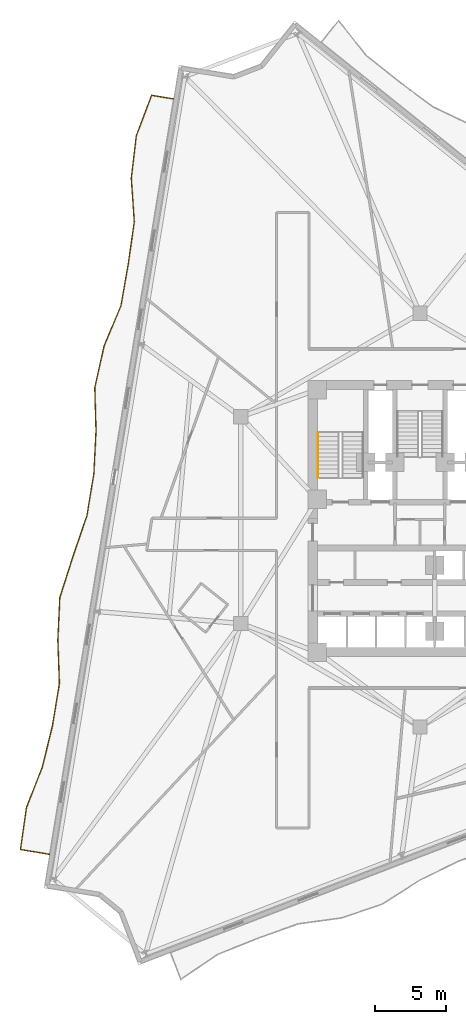
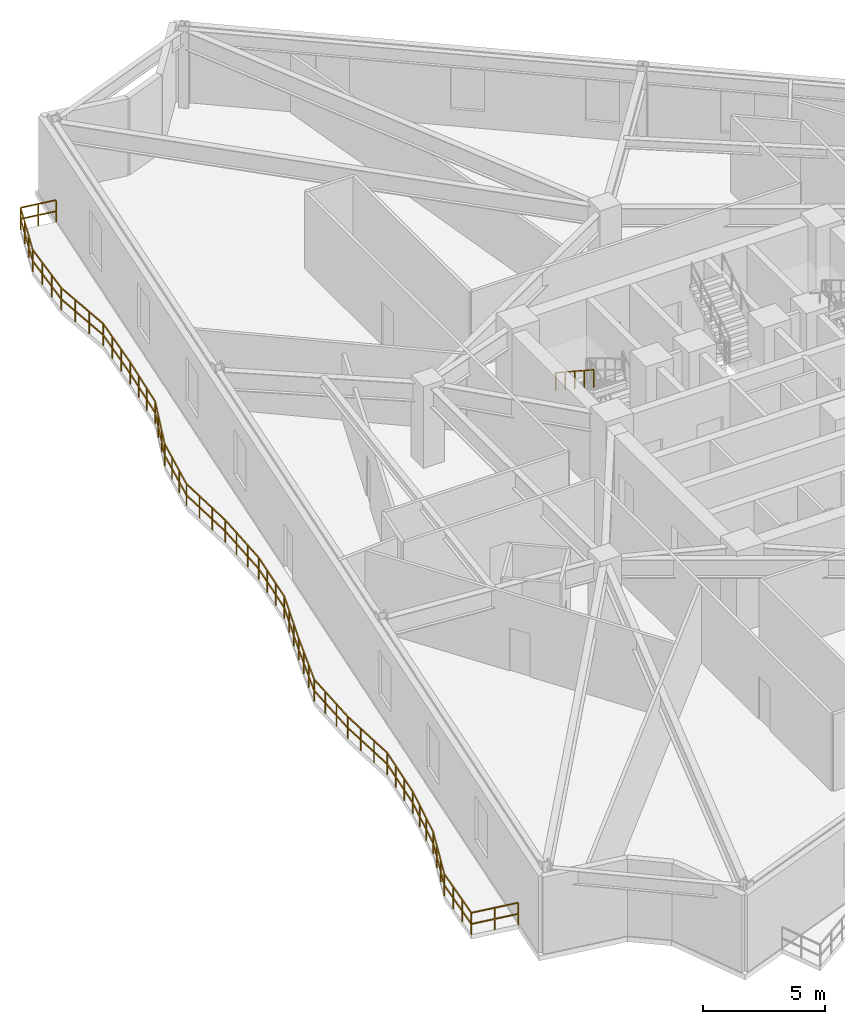
# One storey, part 9 of 11: 2 railings.
"""IFC4 building model written with IfcOpenShell, lengths in metres."""

from ifc_helpers import new_model, si_unit, direction, frame, origin, origin_2d, place, context, subcontext, project, spatial, rectangle, extrude, material, type_object, element, save


model = new_model("IFC4")

# Units and contexts
model_context = context("Model", 3, precision=1e-05, world=origin(), true_north=direction((0.0, 1.0)))
body_context = subcontext(model_context, "Body", "Model", "MODEL_VIEW")
ifc_project = project(units=[si_unit("LENGTHUNIT", "METRE"), si_unit("AREAUNIT", "SQUARE_METRE"), si_unit("VOLUMEUNIT", "CUBIC_METRE"), si_unit("PLANEANGLEUNIT", "RADIAN"), si_unit("MASSUNIT", "GRAM", prefix="KILO")], contexts=[model_context])

# Site, building, storey
site_placement = place(None, origin())
site = spatial("IfcSite", under=ifc_project, at=site_placement, CompositionType="ELEMENT")
building_placement = place(site_placement, origin())
building = spatial("IfcBuilding", under=site, at=building_placement, Name="Apsidion Concourse Tower", CompositionType="ELEMENT")
storey_placement = place(building_placement, frame((0.0, 0.0, 140.39990234375)))
storey = spatial("IfcBuildingStorey", under=building, at=storey_placement, Name="L32", CompositionType="ELEMENT", Elevation=140.39990234375)

# Railings
ifc_material = material(Name="Brushed stainless steel 316", Category="steel")
railing_type_1 = type_object("IfcRailingType", Name="RL-BAL-1120", PredefinedType="BALUSTRADE", material=ifc_material)
railing_1_placement = place(storey_placement, frame((-25.99072265625, -23.43701171875, 0.0)))
element("IfcRailing", 1, at=railing_1_placement, inside=storey, type_object=railing_type_1, Name="L32 Face 1 Rippling Balcony Balustrade", PredefinedType="BALUSTRADE", context=body_context, shape_type="SweptSolid", body=[
    extrude(rectangle(XDim=0.048095703125, YDim=0.048095703125, at=origin_2d()), frame((0.0, 0.0, 1.09619140625), z_axis=(-0.986791069568, 0.161998101904, 0.0), x_axis=(-0.161998101904, -0.986791069568, 0.0)), (0.0, 0.0, 1.0), 2.061767578125),
    extrude(rectangle(XDim=0.048095703125, YDim=0.048095703125, at=origin_2d()), frame((0.0, 0.0, 0.5361328125), z_axis=(-0.986791069568, 0.161998101904, 0.0), x_axis=(-0.161998101904, -0.986791069568, 0.0)), (0.0, 0.0, 1.0), 2.061767578125),
    extrude(rectangle(XDim=0.048095703125, YDim=0.048095703125, at=origin_2d()), frame((-2.034423828125, 0.333984375, 1.09619140625), z_axis=(0.143196768675, 0.989694238359, 0.0), x_axis=(-0.989694238359, 0.143196768675, 0.0)), (0.0, 0.0, 1.0), 2.983642578125),
    extrude(rectangle(XDim=0.048095703125, YDim=0.048095703125, at=origin_2d()), frame((-2.034423828125, 0.333984375, 0.5361328125), z_axis=(0.143196768675, 0.989694238359, 0.0), x_axis=(-0.989694238359, 0.143196768675, 0.0)), (0.0, 0.0, 1.0), 2.983642578125),
    extrude(rectangle(XDim=0.048095703125, YDim=0.048095703125, at=origin_2d()), frame((-1.607177734375, 3.286865234375, 1.09619140625), z_axis=(0.364743365523, 0.931108091097, 0.0), x_axis=(-0.931108091097, 0.364743365523, 0.0)), (0.0, 0.0, 1.0), 3.05029296875),
    extrude(rectangle(XDim=0.048095703125, YDim=0.048095703125, at=origin_2d()), frame((-1.607177734375, 3.286865234375, 0.5361328125), z_axis=(0.364743365523, 0.931108091097, 0.0), x_axis=(-0.931108091097, 0.364743365523, 0.0)), (0.0, 0.0, 1.0), 3.05029296875),
    extrude(rectangle(XDim=0.048095703125, YDim=0.048095703125, at=origin_2d()), frame((-0.49462890625, 6.126953125, 1.09619140625), z_axis=(0.237540356142, 0.971377670736, 0.0), x_axis=(-0.971377670736, 0.237540356142, 0.0)), (0.0, 0.0, 1.0), 2.991943359375),
    extrude(rectangle(XDim=0.048095703125, YDim=0.048095703125, at=origin_2d()), frame((-0.49462890625, 6.126953125, 0.5361328125), z_axis=(0.237540356142, 0.971377670736, 0.0), x_axis=(-0.971377670736, 0.237540356142, 0.0)), (0.0, 0.0, 1.0), 2.991943359375),
    extrude(rectangle(XDim=0.048095703125, YDim=0.048095703125, at=origin_2d()), frame((0.216064453125, 9.033203125, 1.09619140625), z_axis=(0.161969706487, 0.986795730727, 0.0), x_axis=(-0.986795730727, 0.161969706487, 0.0)), (0.0, 0.0, 1.0), 2.98291015625),
    extrude(rectangle(XDim=0.048095703125, YDim=0.048095703125, at=origin_2d()), frame((0.216064453125, 9.033203125, 0.5361328125), z_axis=(0.161969706487, 0.986795730727, 0.0), x_axis=(-0.986795730727, 0.161969706487, 0.0)), (0.0, 0.0, 1.0), 2.98291015625),
    extrude(rectangle(XDim=0.048095703125, YDim=0.048095703125, at=origin_2d()), frame((0.69921875, 11.976806640625, 1.09619140625), z_axis=(-0.035785975646, 0.999359476839, 0.0), x_axis=(-0.999359476839, -0.035785975646, 0.0)), (0.0, 0.0, 1.0), 3.042724609375),
    extrude(rectangle(XDim=0.048095703125, YDim=0.048095703125, at=origin_2d()), frame((0.69921875, 11.976806640625, 0.5361328125), z_axis=(-0.035785975646, 0.999359476839, 0.0), x_axis=(-0.999359476839, -0.035785975646, 0.0)), (0.0, 0.0, 1.0), 3.042724609375),
    extrude(rectangle(XDim=0.048095703125, YDim=0.048095703125, at=origin_2d()), frame((0.59033203125, 15.017578125, 1.09619140625), z_axis=(0.046580243971, 0.998914551336, 0.0), x_axis=(-0.998914551336, 0.046580243971, 0.0)), (0.0, 0.0, 1.0), 3.003173828125),
    extrude(rectangle(XDim=0.048095703125, YDim=0.048095703125, at=origin_2d()), frame((0.59033203125, 15.017578125, 0.5361328125), z_axis=(0.046580243971, 0.998914551336, 0.0), x_axis=(-0.998914551336, 0.046580243971, 0.0)), (0.0, 0.0, 1.0), 3.003173828125),
    extrude(rectangle(XDim=0.048095703125, YDim=0.048095703125, at=origin_2d()), frame((0.730224609375, 18.017578125, 1.09619140625), z_axis=(0.305448329078, 0.952208652693, 0.0), x_axis=(-0.952208652693, 0.305448329078, 0.0)), (0.0, 0.0, 1.0), 3.015625),
    extrude(rectangle(XDim=0.048095703125, YDim=0.048095703125, at=origin_2d()), frame((0.730224609375, 18.017578125, 0.5361328125), z_axis=(0.305448329078, 0.952208652693, 0.0), x_axis=(-0.952208652693, 0.305448329078, 0.0)), (0.0, 0.0, 1.0), 3.015625),
    extrude(rectangle(XDim=0.048095703125, YDim=0.048095703125, at=origin_2d()), frame((1.6513671875, 20.88916015625, 1.09619140625), z_axis=(0.324084989093, 0.946027969906, 0.0), x_axis=(-0.946027969906, 0.324084989093, 0.0)), (0.0, 0.0, 1.0), 3.025390625),
    extrude(rectangle(XDim=0.048095703125, YDim=0.048095703125, at=origin_2d()), frame((1.6513671875, 20.88916015625, 0.5361328125), z_axis=(0.324084989093, 0.946027969906, 0.0), x_axis=(-0.946027969906, 0.324084989093, 0.0)), (0.0, 0.0, 1.0), 3.025390625),
    extrude(rectangle(XDim=0.048095703125, YDim=0.048095703125, at=origin_2d()), frame((2.6318359375, 23.751220703125, 1.09619140625), z_axis=(0.161982788773, 0.98679358335, 0.0), x_axis=(-0.98679358335, 0.161982788773, 0.0)), (0.0, 0.0, 1.0), 2.982666015625),
    extrude(rectangle(XDim=0.048095703125, YDim=0.048095703125, at=origin_2d()), frame((2.6318359375, 23.751220703125, 0.5361328125), z_axis=(0.161982788773, 0.98679358335, 0.0), x_axis=(-0.98679358335, 0.161982788773, 0.0)), (0.0, 0.0, 1.0), 2.982666015625),
    extrude(rectangle(XDim=0.048095703125, YDim=0.048095703125, at=origin_2d()), frame((3.114990234375, 26.694580078125, 1.09619140625), z_axis=(0.050915226377, 0.998702978729, 0.0), x_axis=(-0.998702978729, 0.050915226377, 0.0)), (0.0, 0.0, 1.0), 3.001708984375),
    extrude(rectangle(XDim=0.048095703125, YDim=0.048095703125, at=origin_2d()), frame((3.114990234375, 26.694580078125, 0.5361328125), z_axis=(0.050915226377, 0.998702978729, 0.0), x_axis=(-0.998702978729, 0.050915226377, 0.0)), (0.0, 0.0, 1.0), 3.001708984375),
    extrude(rectangle(XDim=0.048095703125, YDim=0.048095703125, at=origin_2d()), frame((3.267822265625, 29.6923828125, 1.09619140625), z_axis=(-0.028284499161, 0.999599913519, 0.0), x_axis=(-0.999599913519, -0.028284499161, 0.0)), (0.0, 0.0, 1.0), 3.038330078125),
    extrude(rectangle(XDim=0.048095703125, YDim=0.048095703125, at=origin_2d()), frame((3.267822265625, 29.6923828125, 0.5361328125), z_axis=(-0.028284499161, 0.999599913519, 0.0), x_axis=(-0.999599913519, -0.028284499161, 0.0)), (0.0, 0.0, 1.0), 3.038330078125),
    extrude(rectangle(XDim=0.048095703125, YDim=0.048095703125, at=origin_2d()), frame((3.181884765625, 32.7294921875, 1.09619140625), z_axis=(0.218098351797, 0.975926794869, 0.0), x_axis=(-0.975926794869, 0.218098351797, 0.0)), (0.0, 0.0, 1.0), 2.98779296875),
    extrude(rectangle(XDim=0.048095703125, YDim=0.048095703125, at=origin_2d()), frame((3.181884765625, 32.7294921875, 0.5361328125), z_axis=(0.218098351797, 0.975926794869, 0.0), x_axis=(-0.975926794869, 0.218098351797, 0.0)), (0.0, 0.0, 1.0), 2.98779296875),
    extrude(rectangle(XDim=0.048095703125, YDim=0.048095703125, at=origin_2d()), frame((3.83349609375, 35.645263671875, 1.09619140625), z_axis=(0.385870207143, 0.92255307882, 0.0), x_axis=(-0.92255307882, 0.385870207143, 0.0)), (0.0, 0.0, 1.0), 3.066162109375),
    extrude(rectangle(XDim=0.048095703125, YDim=0.048095703125, at=origin_2d()), frame((3.83349609375, 35.645263671875, 0.5361328125), z_axis=(0.385870207143, 0.92255307882, 0.0), x_axis=(-0.92255307882, 0.385870207143, 0.0)), (0.0, 0.0, 1.0), 3.066162109375),
    extrude(rectangle(XDim=0.048095703125, YDim=0.048095703125, at=origin_2d()), frame((5.0166015625, 38.473876953125, 1.09619140625), z_axis=(0.172356509061, 0.98503463583, 0.0), x_axis=(-0.98503463583, 0.172356509061, 0.0)), (0.0, 0.0, 1.0), 2.983154296875),
    extrude(rectangle(XDim=0.048095703125, YDim=0.048095703125, at=origin_2d()), frame((5.0166015625, 38.473876953125, 0.5361328125), z_axis=(0.172356509061, 0.98503463583, 0.0), x_axis=(-0.98503463583, 0.172356509061, 0.0)), (0.0, 0.0, 1.0), 2.983154296875),
    extrude(rectangle(XDim=0.048095703125, YDim=0.048095703125, at=origin_2d()), frame((5.53076171875, 41.412353515625, 1.09619140625), z_axis=(0.140986028767, 0.990011585636, 0.0), x_axis=(-0.990011585636, 0.140986028767, 0.0)), (0.0, 0.0, 1.0), 2.983642578125),
    extrude(rectangle(XDim=0.048095703125, YDim=0.048095703125, at=origin_2d()), frame((5.53076171875, 41.412353515625, 0.5361328125), z_axis=(0.140986028767, 0.990011585636, 0.0), x_axis=(-0.990011585636, 0.140986028767, 0.0)), (0.0, 0.0, 1.0), 2.983642578125),
    extrude(rectangle(XDim=0.048095703125, YDim=0.048095703125, at=origin_2d()), frame((5.951416015625, 44.3662109375, 1.09619140625), z_axis=(-0.068512276221, 0.997650273396, 0.0), x_axis=(-0.997650273396, -0.068512276221, 0.0)), (0.0, 0.0, 1.0), 3.064453125),
    extrude(rectangle(XDim=0.048095703125, YDim=0.048095703125, at=origin_2d()), frame((5.951416015625, 44.3662109375, 0.5361328125), z_axis=(-0.068512276221, 0.997650273396, 0.0), x_axis=(-0.997650273396, -0.068512276221, 0.0)), (0.0, 0.0, 1.0), 3.064453125),
    extrude(rectangle(XDim=0.048095703125, YDim=0.048095703125, at=origin_2d()), frame((5.741455078125, 47.423583984375, 1.09619140625), z_axis=(0.117823206311, 0.993034587542, 0.0), x_axis=(-0.993034587542, 0.117823206311, 0.0)), (0.0, 0.0, 1.0), 2.98583984375),
    extrude(rectangle(XDim=0.048095703125, YDim=0.048095703125, at=origin_2d()), frame((5.741455078125, 47.423583984375, 0.5361328125), z_axis=(0.117823206311, 0.993034587542, 0.0), x_axis=(-0.993034587542, 0.117823206311, 0.0)), (0.0, 0.0, 1.0), 2.98583984375),
    extrude(rectangle(XDim=0.048095703125, YDim=0.048095703125, at=origin_2d()), frame((6.09326171875, 50.388671875, 1.09619140625), z_axis=(0.353057252434, 0.935601718951, 0.0), x_axis=(-0.935601718951, 0.353057252434, 0.0)), (0.0, 0.0, 1.0), 3.042724609375),
    extrude(rectangle(XDim=0.048095703125, YDim=0.048095703125, at=origin_2d()), frame((6.09326171875, 50.388671875, 0.5361328125), z_axis=(0.353057252434, 0.935601718951, 0.0), x_axis=(-0.935601718951, 0.353057252434, 0.0)), (0.0, 0.0, 1.0), 3.042724609375),
    extrude(rectangle(XDim=0.048095703125, YDim=0.048095703125, at=origin_2d()), frame((7.16748046875, 53.2353515625, 1.09619140625), z_axis=(0.986778566403, -0.162074244985, 0.0), x_axis=(0.162074244985, 0.986778566403, 0.0)), (0.0, 0.0, 1.0), 1.550048828125),
    extrude(rectangle(XDim=0.048095703125, YDim=0.048095703125, at=origin_2d()), frame((7.16748046875, 53.2353515625, 0.5361328125), z_axis=(0.986778566403, -0.162074244985, 0.0), x_axis=(0.162074244985, 0.986778566403, 0.0)), (0.0, 0.0, 1.0), 1.550048828125),
    extrude(rectangle(XDim=0.0419921875, YDim=0.0419921875, at=origin_2d()), origin(), (0.0, 0.0, 1.0), 1.072021484375),
    extrude(rectangle(XDim=0.0419921875, YDim=0.0419921875, at=origin_2d()), frame((-1.01708984375, 0.1669921875, 0.0)), (0.0, 0.0, 1.0), 1.072021484375),
    extrude(rectangle(XDim=0.0419921875, YDim=0.0419921875, at=origin_2d()), frame((-2.034423828125, 0.333984375, 0.0)), (0.0, 0.0, 1.0), 1.072021484375),
    extrude(rectangle(XDim=0.0419921875, YDim=0.0419921875, at=origin_2d()), frame((-1.89208984375, 1.318359375, 0.0)), (0.0, 0.0, 1.0), 1.072021484375),
    extrude(rectangle(XDim=0.0419921875, YDim=0.0419921875, at=origin_2d()), frame((-1.74951171875, 2.302490234375, 0.0)), (0.0, 0.0, 1.0), 1.072021484375),
    extrude(rectangle(XDim=0.0419921875, YDim=0.0419921875, at=origin_2d()), frame((-1.607177734375, 3.286865234375, 0.0)), (0.0, 0.0, 1.0), 1.072021484375),
    extrude(rectangle(XDim=0.0419921875, YDim=0.0419921875, at=origin_2d()), frame((-1.236328125, 4.233642578125, 0.0)), (0.0, 0.0, 1.0), 1.072021484375),
    extrude(rectangle(XDim=0.0419921875, YDim=0.0419921875, at=origin_2d()), frame((-0.865478515625, 5.18017578125, 0.0)), (0.0, 0.0, 1.0), 1.072021484375),
    extrude(rectangle(XDim=0.0419921875, YDim=0.0419921875, at=origin_2d()), frame((-0.49462890625, 6.126953125, 0.0)), (0.0, 0.0, 1.0), 1.072021484375),
    extrude(rectangle(XDim=0.0419921875, YDim=0.0419921875, at=origin_2d()), frame((-0.2578125, 7.095703125, 0.0)), (0.0, 0.0, 1.0), 1.072021484375),
    extrude(rectangle(XDim=0.0419921875, YDim=0.0419921875, at=origin_2d()), frame((-0.020751953125, 8.064453125, 0.0)), (0.0, 0.0, 1.0), 1.072021484375),
    extrude(rectangle(XDim=0.0419921875, YDim=0.0419921875, at=origin_2d()), frame((0.216064453125, 9.033203125, 0.0)), (0.0, 0.0, 1.0), 1.072021484375),
    extrude(rectangle(XDim=0.0419921875, YDim=0.0419921875, at=origin_2d()), frame((0.377197265625, 10.014404296875, 0.0)), (0.0, 0.0, 1.0), 1.072021484375),
    extrude(rectangle(XDim=0.0419921875, YDim=0.0419921875, at=origin_2d()), frame((0.5380859375, 10.99560546875, 0.0)), (0.0, 0.0, 1.0), 1.072021484375),
    extrude(rectangle(XDim=0.0419921875, YDim=0.0419921875, at=origin_2d()), frame((0.69921875, 11.976806640625, 0.0)), (0.0, 0.0, 1.0), 1.072021484375),
    extrude(rectangle(XDim=0.0419921875, YDim=0.0419921875, at=origin_2d()), frame((0.662841796875, 12.990478515625, 0.0)), (0.0, 0.0, 1.0), 1.072021484375),
    extrude(rectangle(XDim=0.0419921875, YDim=0.0419921875, at=origin_2d()), frame((0.626708984375, 14.00390625, 0.0)), (0.0, 0.0, 1.0), 1.072021484375),
    extrude(rectangle(XDim=0.0419921875, YDim=0.0419921875, at=origin_2d()), frame((0.59033203125, 15.017578125, 0.0)), (0.0, 0.0, 1.0), 1.072021484375),
    extrude(rectangle(XDim=0.0419921875, YDim=0.0419921875, at=origin_2d()), frame((0.636962890625, 16.017578125, 0.0)), (0.0, 0.0, 1.0), 1.072021484375),
    extrude(rectangle(XDim=0.0419921875, YDim=0.0419921875, at=origin_2d()), frame((0.68359375, 17.017578125, 0.0)), (0.0, 0.0, 1.0), 1.072021484375),
    extrude(rectangle(XDim=0.0419921875, YDim=0.0419921875, at=origin_2d()), frame((0.730224609375, 18.017578125, 0.0)), (0.0, 0.0, 1.0), 1.072021484375),
    extrude(rectangle(XDim=0.0419921875, YDim=0.0419921875, at=origin_2d()), frame((1.037353515625, 18.974853515625, 0.0)), (0.0, 0.0, 1.0), 1.072021484375),
    extrude(rectangle(XDim=0.0419921875, YDim=0.0419921875, at=origin_2d()), frame((1.34423828125, 19.931884765625, 0.0)), (0.0, 0.0, 1.0), 1.072021484375),
    extrude(rectangle(XDim=0.0419921875, YDim=0.0419921875, at=origin_2d()), frame((1.6513671875, 20.88916015625, 0.0)), (0.0, 0.0, 1.0), 1.072021484375),
    extrude(rectangle(XDim=0.0419921875, YDim=0.0419921875, at=origin_2d()), frame((1.978271484375, 21.84326171875, 0.0)), (0.0, 0.0, 1.0), 1.072021484375),
    extrude(rectangle(XDim=0.0419921875, YDim=0.0419921875, at=origin_2d()), frame((2.304931640625, 22.797119140625, 0.0)), (0.0, 0.0, 1.0), 1.072021484375),
    extrude(rectangle(XDim=0.0419921875, YDim=0.0419921875, at=origin_2d()), frame((2.6318359375, 23.751220703125, 0.0)), (0.0, 0.0, 1.0), 1.072021484375),
    extrude(rectangle(XDim=0.0419921875, YDim=0.0419921875, at=origin_2d()), frame((2.79296875, 24.732421875, 0.0)), (0.0, 0.0, 1.0), 1.072021484375),
    extrude(rectangle(XDim=0.0419921875, YDim=0.0419921875, at=origin_2d()), frame((2.953857421875, 25.71337890625, 0.0)), (0.0, 0.0, 1.0), 1.072021484375),
    extrude(rectangle(XDim=0.0419921875, YDim=0.0419921875, at=origin_2d()), frame((3.114990234375, 26.694580078125, 0.0)), (0.0, 0.0, 1.0), 1.072021484375),
    extrude(rectangle(XDim=0.0419921875, YDim=0.0419921875, at=origin_2d()), frame((3.166015625, 27.69384765625, 0.0)), (0.0, 0.0, 1.0), 1.072021484375),
    extrude(rectangle(XDim=0.0419921875, YDim=0.0419921875, at=origin_2d()), frame((3.216796875, 28.693115234375, 0.0)), (0.0, 0.0, 1.0), 1.072021484375),
    extrude(rectangle(XDim=0.0419921875, YDim=0.0419921875, at=origin_2d()), frame((3.267822265625, 29.6923828125, 0.0)), (0.0, 0.0, 1.0), 1.072021484375),
    extrude(rectangle(XDim=0.0419921875, YDim=0.0419921875, at=origin_2d()), frame((3.2392578125, 30.704833984375, 0.0)), (0.0, 0.0, 1.0), 1.072021484375),
    extrude(rectangle(XDim=0.0419921875, YDim=0.0419921875, at=origin_2d()), frame((3.21044921875, 31.717041015625, 0.0)), (0.0, 0.0, 1.0), 1.072021484375),
    extrude(rectangle(XDim=0.0419921875, YDim=0.0419921875, at=origin_2d()), frame((3.181884765625, 32.7294921875, 0.0)), (0.0, 0.0, 1.0), 1.072021484375),
    extrude(rectangle(XDim=0.0419921875, YDim=0.0419921875, at=origin_2d()), frame((3.399169921875, 33.701416015625, 0.0)), (0.0, 0.0, 1.0), 1.072021484375),
    extrude(rectangle(XDim=0.0419921875, YDim=0.0419921875, at=origin_2d()), frame((3.6162109375, 34.67333984375, 0.0)), (0.0, 0.0, 1.0), 1.072021484375),
    extrude(rectangle(XDim=0.0419921875, YDim=0.0419921875, at=origin_2d()), frame((3.83349609375, 35.645263671875, 0.0)), (0.0, 0.0, 1.0), 1.072021484375),
    extrude(rectangle(XDim=0.0419921875, YDim=0.0419921875, at=origin_2d()), frame((4.227783203125, 36.588134765625, 0.0)), (0.0, 0.0, 1.0), 1.072021484375),
    extrude(rectangle(XDim=0.0419921875, YDim=0.0419921875, at=origin_2d()), frame((4.622314453125, 37.531005859375, 0.0)), (0.0, 0.0, 1.0), 1.072021484375),
    extrude(rectangle(XDim=0.0419921875, YDim=0.0419921875, at=origin_2d()), frame((5.0166015625, 38.473876953125, 0.0)), (0.0, 0.0, 1.0), 1.072021484375),
    extrude(rectangle(XDim=0.0419921875, YDim=0.0419921875, at=origin_2d()), frame((5.18798828125, 39.453369140625, 0.0)), (0.0, 0.0, 1.0), 1.072021484375),
    extrude(rectangle(XDim=0.0419921875, YDim=0.0419921875, at=origin_2d()), frame((5.359375, 40.432861328125, 0.0)), (0.0, 0.0, 1.0), 1.072021484375),
    extrude(rectangle(XDim=0.0419921875, YDim=0.0419921875, at=origin_2d()), frame((5.53076171875, 41.412353515625, 0.0)), (0.0, 0.0, 1.0), 1.072021484375),
    extrude(rectangle(XDim=0.0419921875, YDim=0.0419921875, at=origin_2d()), frame((5.6708984375, 42.39697265625, 0.0)), (0.0, 0.0, 1.0), 1.072021484375),
    extrude(rectangle(XDim=0.0419921875, YDim=0.0419921875, at=origin_2d()), frame((5.811279296875, 43.381591796875, 0.0)), (0.0, 0.0, 1.0), 1.072021484375),
    extrude(rectangle(XDim=0.0419921875, YDim=0.0419921875, at=origin_2d()), frame((5.951416015625, 44.3662109375, 0.0)), (0.0, 0.0, 1.0), 1.072021484375),
    extrude(rectangle(XDim=0.0419921875, YDim=0.0419921875, at=origin_2d()), frame((5.88134765625, 45.38525390625, 0.0)), (0.0, 0.0, 1.0), 1.072021484375),
    extrude(rectangle(XDim=0.0419921875, YDim=0.0419921875, at=origin_2d()), frame((5.8115234375, 46.404541015625, 0.0)), (0.0, 0.0, 1.0), 1.072021484375),
    extrude(rectangle(XDim=0.0419921875, YDim=0.0419921875, at=origin_2d()), frame((5.741455078125, 47.423583984375, 0.0)), (0.0, 0.0, 1.0), 1.072021484375),
    extrude(rectangle(XDim=0.0419921875, YDim=0.0419921875, at=origin_2d()), frame((5.858642578125, 48.411865234375, 0.0)), (0.0, 0.0, 1.0), 1.072021484375),
    extrude(rectangle(XDim=0.0419921875, YDim=0.0419921875, at=origin_2d()), frame((5.97607421875, 49.400390625, 0.0)), (0.0, 0.0, 1.0), 1.072021484375),
    extrude(rectangle(XDim=0.0419921875, YDim=0.0419921875, at=origin_2d()), frame((6.09326171875, 50.388671875, 0.0)), (0.0, 0.0, 1.0), 1.072021484375),
    extrude(rectangle(XDim=0.0419921875, YDim=0.0419921875, at=origin_2d()), frame((6.451416015625, 51.337646484375, 0.0)), (0.0, 0.0, 1.0), 1.072021484375),
    extrude(rectangle(XDim=0.0419921875, YDim=0.0419921875, at=origin_2d()), frame((6.809326171875, 52.286376953125, 0.0)), (0.0, 0.0, 1.0), 1.072021484375),
    extrude(rectangle(XDim=0.0419921875, YDim=0.0419921875, at=origin_2d()), frame((7.16748046875, 53.2353515625, 0.0)), (0.0, 0.0, 1.0), 1.072021484375),
    extrude(rectangle(XDim=0.0419921875, YDim=0.0419921875, at=origin_2d()), frame((7.93212890625, 53.10986328125, 0.0)), (0.0, 0.0, 1.0), 1.072021484375),
    extrude(rectangle(XDim=0.0419921875, YDim=0.0419921875, at=origin_2d()), frame((8.697021484375, 52.984130859375, 0.0)), (0.0, 0.0, 1.0), 1.072021484375),
])
railing_type_2 = type_object("IfcRailingType", Name="RL-HAND-900", PredefinedType="HANDRAIL", material=ifc_material)
railing_2_placement = place(storey_placement, frame((-7.14990234375, 6.135009765625, 2.220947265625)))
element("IfcRailing", 2, at=railing_2_placement, inside=storey, type_object=railing_type_2, Name="L32 ST1 stair handrail 2", PredefinedType="HANDRAIL", context=body_context, shape_type="SweptSolid", body=[
    extrude(rectangle(XDim=0.048095703125, YDim=0.048095703125, at=origin_2d()), frame((0.0, 0.0, 0.8759765625), z_axis=(0.0, -0.836940907821, 0.547293263996), x_axis=(1.0, 0.0, 0.0)), (0.0, 0.0, 1.0), 3.745849609375),
    extrude(rectangle(XDim=0.0419921875, YDim=0.0419921875, at=origin_2d()), origin(), (0.0, 0.0, 1.0), 0.851806640625),
    extrude(rectangle(XDim=0.0419921875, YDim=0.0419921875, at=origin_2d()), frame((0.0, -0.78369140625, 0.512451171875)), (0.0, 0.0, 1.0), 0.851806640625),
    extrude(rectangle(XDim=0.0419921875, YDim=0.0419921875, at=origin_2d()), frame((0.0, -1.5673828125, 1.02490234375)), (0.0, 0.0, 1.0), 0.851806640625),
    extrude(rectangle(XDim=0.0419921875, YDim=0.0419921875, at=origin_2d()), frame((0.0, -2.351318359375, 1.53759765625)), (0.0, 0.0, 1.0), 0.851806640625),
    extrude(rectangle(XDim=0.0419921875, YDim=0.0419921875, at=origin_2d()), frame((0.0, -3.135009765625, 2.050048828125)), (0.0, 0.0, 1.0), 0.851806640625),
])

save(model, "model.ifc")
